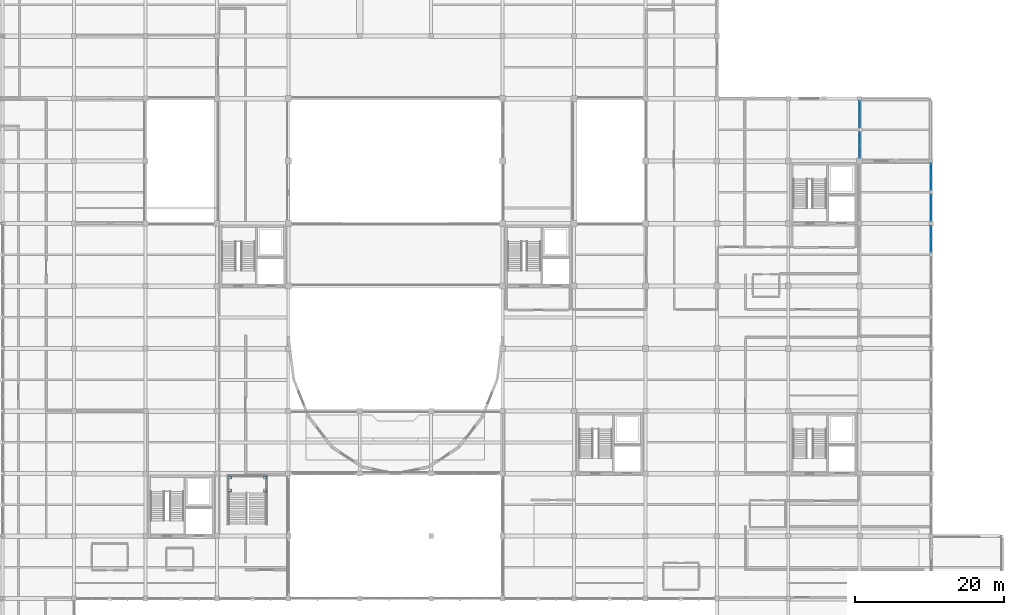
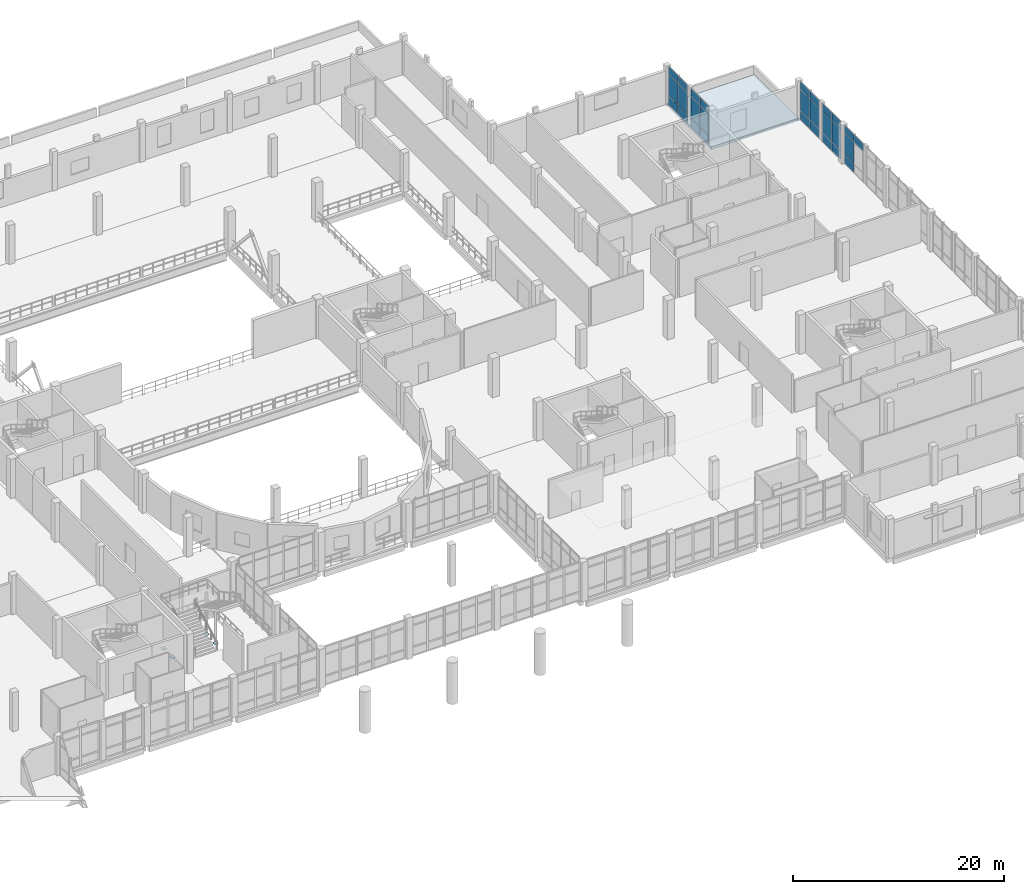
# One storey, part 85 of 102: 32 plates, 1 slab, 5 elements without a shape of their own.
"""IFC4 building model written with IfcOpenShell, lengths in metres."""

from ifc_helpers import new_model, si_unit, direction, frame, origin, origin_2d, place, context, subcontext, project, spatial, polyline, rectangle, outline, extrude, material, layer, layer_set, type_object, element, aggregate, save


model = new_model("IFC4")

# Units and contexts
model_context = context("Model", 3, precision=1e-05, world=origin(), true_north=direction((0.0, 1.0)))
body_context = subcontext(model_context, "Body", "Model", "MODEL_VIEW")
ifc_project = project(units=[si_unit("LENGTHUNIT", "METRE"), si_unit("AREAUNIT", "SQUARE_METRE"), si_unit("VOLUMEUNIT", "CUBIC_METRE"), si_unit("PLANEANGLEUNIT", "RADIAN"), si_unit("MASSUNIT", "GRAM", prefix="KILO")], contexts=[model_context])

# Site, building, storey
site_placement = place(None, origin())
site = spatial("IfcSite", under=ifc_project, at=site_placement, CompositionType="ELEMENT")
building_placement = place(site_placement, origin())
building = spatial("IfcBuilding", under=site, at=building_placement, Name="Lornevale Opera House", CompositionType="ELEMENT")
storey_placement = place(building_placement, frame((0.0, 0.0, 5.39990234375)))
storey = spatial("IfcBuildingStorey", under=building, at=storey_placement, Name="L02", CompositionType="ELEMENT", Elevation=5.39990234375)

# Plates
ifc_material_1 = material(Name="Structural Steel CSA G40.21 Grade 350W (350 MPa)", Category="steel")
ifc_layer_1 = layer(ifc_material_1, 0.028076171875)
ifc_layer_set_1 = layer_set([ifc_layer_1], Name="Structural Steel CSA G40.21 Grade 350W (350 MPa)")
plate_type_1 = type_object("IfcPlateType", Name="Ramp Mast Base Plate 420x420x28", PredefinedType="USERDEFINED", material=ifc_layer_set_1)
for number, where, z_axis, x_axis, name in (
    (1, (59.35009765625, 31.35009765625, -2.69970703125), (0.0, 0.0, 1.0), (1.0, 0.0, 0.0), "Ramp Mast Base Plate PT-MB-0010"),
    (2, (59.35009765625, 33.050048828125, -2.69970703125), (0.0, 0.0, 1.0), (1.0, 0.0, 0.0), "Ramp Mast Base Plate PT-MB-0012"),
    (3, (64.050048828125, 31.35009765625, -2.69970703125), (0.0, 0.0, 1.0), (1.0, 0.0, 0.0), "Ramp Mast Base Plate PT-MB-0014"),
    (4, (64.050048828125, 33.050048828125, -2.69970703125), (0.0, 0.0, 1.0), (1.0, 0.0, 0.0), "Ramp Mast Base Plate PT-MB-0016"),
):
    element("IfcPlate", number, at=place(storey_placement, frame(where, z_axis=z_axis, x_axis=x_axis)), inside=storey, type_object=plate_type_1, Name=name, ObjectType="GUSSET PLATE", PredefinedType="USERDEFINED", context=body_context, shape_type="SweptSolid", body=[
        extrude(rectangle(XDim=0.419921875, YDim=0.419921875, at=origin_2d()), origin(), (0.0, 0.0, 1.0), 0.028076171875),
    ])

# Curtain wall, plates
ifc_material_2 = material(Name="Anodized Oxide-Green Aluminium Framing", Category="aluminium")
ifc_layer_2 = layer(ifc_material_2, 0.179931640625)
ifc_layer_set_2 = layer_set([ifc_layer_2], Name="Anodized Oxide-Green Aluminium Framing")
curtain_wall_type = type_object("IfcCurtainWallType", Name="Promenade Gallery Curtain Wall M1800", PredefinedType="NOTDEFINED", material=ifc_layer_set_2)
curtain_wall_1_placement = place(storey_placement, origin())
curtain_wall_1 = element("IfcCurtainWall", 5, at=curtain_wall_1_placement, inside=storey, type_object=curtain_wall_type, Name="Promenade Gallery Curtain Wall M1800 CW-078", PredefinedType="NOTDEFINED")
ifc_material_3 = material(Name="Triple Low-E Insulated Glazing", Category="glass")
ifc_layer_3 = layer(ifc_material_3, 0.0380859375)
ifc_layer_set_3 = layer_set([ifc_layer_3], Name="Triple Low-E Insulated Glazing")
plate_type_2 = type_object("IfcPlateType", Name="Triple Low-E Vision Panel 38", PredefinedType="CURTAIN_PANEL", material=ifc_layer_set_3)
plate_1_placement = place(storey_placement, frame((144.0, 82.800537109375, 0.0654296875), z_axis=(0.0, 0.0, 1.0), x_axis=(0.0, -1.0, 0.0)))
plate_1 = element("IfcPlate", 6, at=plate_1_placement, type_object=plate_type_2, Name="Triple Low-E Vision Panel 38 CW1589", PredefinedType="CURTAIN_PANEL", context=body_context, shape_type="SweptSolid", body=[
    extrude(rectangle(XDim=1.72705078125, YDim=0.0380859375, at=origin_2d()), origin(), (0.0, 0.0, 1.0), 0.952392578125),
])
plate_2_placement = place(storey_placement, frame((144.0, 82.800537109375, 1.08251953125), z_axis=(0.0, 0.0, 1.0), x_axis=(0.0, -1.0, 0.0)))
plate_2 = element("IfcPlate", 7, at=plate_2_placement, type_object=plate_type_2, Name="Triple Low-E Vision Panel 38 CW1590", PredefinedType="CURTAIN_PANEL", context=body_context, shape_type="SweptSolid", body=[
    extrude(rectangle(XDim=1.72705078125, YDim=0.0380859375, at=origin_2d()), origin(), (0.0, 0.0, 1.0), 2.455078125),
])
plate_3_placement = place(storey_placement, frame((144.0, 82.800537109375, 3.6025390625), z_axis=(0.0, 0.0, 1.0), x_axis=(0.0, -1.0, 0.0)))
plate_3 = element("IfcPlate", 8, at=plate_3_placement, type_object=plate_type_2, Name="Triple Low-E Vision Panel 38 CW1591", PredefinedType="CURTAIN_PANEL", context=body_context, shape_type="SweptSolid", body=[
    extrude(rectangle(XDim=1.72705078125, YDim=0.0380859375, at=origin_2d()), origin(), (0.0, 0.0, 1.0), 0.8525390625),
])
plate_4_placement = place(storey_placement, frame((144.0, 81.008544921875, 0.0654296875), z_axis=(0.0, 0.0, 1.0), x_axis=(0.0, -1.0, 0.0)))
plate_4 = element("IfcPlate", 9, at=plate_4_placement, type_object=plate_type_2, Name="Triple Low-E Vision Panel 38 CW1596", PredefinedType="CURTAIN_PANEL", context=body_context, shape_type="SweptSolid", body=[
    extrude(rectangle(XDim=1.72705078125, YDim=0.0380859375, at=origin_2d()), origin(), (0.0, 0.0, 1.0), 0.952392578125),
])
plate_5_placement = place(storey_placement, frame((144.0, 81.008544921875, 1.08251953125), z_axis=(0.0, 0.0, 1.0), x_axis=(0.0, -1.0, 0.0)))
plate_5 = element("IfcPlate", 10, at=plate_5_placement, type_object=plate_type_2, Name="Triple Low-E Vision Panel 38 CW1597", PredefinedType="CURTAIN_PANEL", context=body_context, shape_type="SweptSolid", body=[
    extrude(rectangle(XDim=1.72705078125, YDim=0.0380859375, at=origin_2d()), origin(), (0.0, 0.0, 1.0), 2.455078125),
])
plate_6_placement = place(storey_placement, frame((144.0, 81.008544921875, 3.6025390625), z_axis=(0.0, 0.0, 1.0), x_axis=(0.0, -1.0, 0.0)))
plate_6 = element("IfcPlate", 11, at=plate_6_placement, type_object=plate_type_2, Name="Triple Low-E Vision Panel 38 CW1598", PredefinedType="CURTAIN_PANEL", context=body_context, shape_type="SweptSolid", body=[
    extrude(rectangle(XDim=1.72705078125, YDim=0.0380859375, at=origin_2d()), origin(), (0.0, 0.0, 1.0), 0.8525390625),
])
aggregate(curtain_wall_1, [plate_1, plate_2, plate_3, plate_4, plate_5, plate_6])

curtain_wall_2_placement = place(storey_placement, origin())
curtain_wall_2 = element("IfcCurtainWall", 12, at=curtain_wall_2_placement, inside=storey, type_object=curtain_wall_type, Name="Promenade Gallery Curtain Wall M1800 CW-079", PredefinedType="NOTDEFINED")
plate_7_placement = place(storey_placement, frame((144.0, 78.622802734375, 0.0654296875), z_axis=(0.0, 0.0, 1.0), x_axis=(0.0, -1.0, 0.0)))
plate_7 = element("IfcPlate", 13, at=plate_7_placement, type_object=plate_type_2, Name="Triple Low-E Vision Panel 38 CW1606", PredefinedType="CURTAIN_PANEL", context=body_context, shape_type="SweptSolid", body=[
    extrude(rectangle(XDim=1.66455078125, YDim=0.0380859375, at=origin_2d()), origin(), (0.0, 0.0, 1.0), 0.952392578125),
])
plate_8_placement = place(storey_placement, frame((144.0, 78.622802734375, 1.08251953125), z_axis=(0.0, 0.0, 1.0), x_axis=(0.0, -1.0, 0.0)))
plate_8 = element("IfcPlate", 14, at=plate_8_placement, type_object=plate_type_2, Name="Triple Low-E Vision Panel 38 CW1607", PredefinedType="CURTAIN_PANEL", context=body_context, shape_type="SweptSolid", body=[
    extrude(rectangle(XDim=1.66455078125, YDim=0.0380859375, at=origin_2d()), origin(), (0.0, 0.0, 1.0), 2.455078125),
])
plate_9_placement = place(storey_placement, frame((144.0, 78.622802734375, 3.6025390625), z_axis=(0.0, 0.0, 1.0), x_axis=(0.0, -1.0, 0.0)))
plate_9 = element("IfcPlate", 15, at=plate_9_placement, type_object=plate_type_2, Name="Triple Low-E Vision Panel 38 CW1608", PredefinedType="CURTAIN_PANEL", context=body_context, shape_type="SweptSolid", body=[
    extrude(rectangle(XDim=1.66455078125, YDim=0.0380859375, at=origin_2d()), origin(), (0.0, 0.0, 1.0), 0.8525390625),
])
plate_10_placement = place(storey_placement, frame((144.0, 76.893310546875, 0.0654296875), z_axis=(0.0, 0.0, 1.0), x_axis=(0.0, -1.0, 0.0)))
plate_10 = element("IfcPlate", 16, at=plate_10_placement, type_object=plate_type_2, Name="Triple Low-E Vision Panel 38 CW1613", PredefinedType="CURTAIN_PANEL", context=body_context, shape_type="SweptSolid", body=[
    extrude(rectangle(XDim=1.66455078125, YDim=0.0380859375, at=origin_2d()), origin(), (0.0, 0.0, 1.0), 0.952392578125),
])
plate_11_placement = place(storey_placement, frame((144.0, 76.893310546875, 1.08251953125), z_axis=(0.0, 0.0, 1.0), x_axis=(0.0, -1.0, 0.0)))
plate_11 = element("IfcPlate", 17, at=plate_11_placement, type_object=plate_type_2, Name="Triple Low-E Vision Panel 38 CW1614", PredefinedType="CURTAIN_PANEL", context=body_context, shape_type="SweptSolid", body=[
    extrude(rectangle(XDim=1.66455078125, YDim=0.0380859375, at=origin_2d()), origin(), (0.0, 0.0, 1.0), 2.455078125),
])
plate_12_placement = place(storey_placement, frame((144.0, 76.893310546875, 3.6025390625), z_axis=(0.0, 0.0, 1.0), x_axis=(0.0, -1.0, 0.0)))
plate_12 = element("IfcPlate", 18, at=plate_12_placement, type_object=plate_type_2, Name="Triple Low-E Vision Panel 38 CW1615", PredefinedType="CURTAIN_PANEL", context=body_context, shape_type="SweptSolid", body=[
    extrude(rectangle(XDim=1.66455078125, YDim=0.0380859375, at=origin_2d()), origin(), (0.0, 0.0, 1.0), 0.8525390625),
])
aggregate(curtain_wall_2, [plate_7, plate_8, plate_9, plate_10, plate_11, plate_12])

curtain_wall_3_placement = place(storey_placement, origin())
curtain_wall_3 = element("IfcCurtainWall", 19, at=curtain_wall_3_placement, inside=storey, type_object=curtain_wall_type, Name="Promenade Gallery Curtain Wall M1800 CW-088", PredefinedType="NOTDEFINED")
plate_13_placement = place(storey_placement, frame((153.60009765625, 65.981689453125, 0.0654296875), z_axis=(0.0, 0.0, 1.0), x_axis=(0.0, -1.0, 0.0)))
plate_13 = element("IfcPlate", 20, at=plate_13_placement, type_object=plate_type_2, Name="Triple Low-E Vision Panel 38 CW1759", PredefinedType="CURTAIN_PANEL", context=body_context, shape_type="SweptSolid", body=[
    extrude(rectangle(XDim=1.714599609375, YDim=0.0380859375, at=origin_2d()), origin(), (0.0, 0.0, 1.0), 0.952392578125),
])
plate_14_placement = place(storey_placement, frame((153.60009765625, 65.981689453125, 1.08251953125), z_axis=(0.0, 0.0, 1.0), x_axis=(0.0, -1.0, 0.0)))
plate_14 = element("IfcPlate", 21, at=plate_14_placement, type_object=plate_type_2, Name="Triple Low-E Vision Panel 38 CW1760", PredefinedType="CURTAIN_PANEL", context=body_context, shape_type="SweptSolid", body=[
    extrude(rectangle(XDim=1.714599609375, YDim=0.0380859375, at=origin_2d()), origin(), (0.0, 0.0, 1.0), 2.455078125),
])
plate_15_placement = place(storey_placement, frame((153.60009765625, 65.981689453125, 3.6025390625), z_axis=(0.0, 0.0, 1.0), x_axis=(0.0, -1.0, 0.0)))
plate_15 = element("IfcPlate", 22, at=plate_15_placement, type_object=plate_type_2, Name="Triple Low-E Vision Panel 38 CW1761", PredefinedType="CURTAIN_PANEL", context=body_context, shape_type="SweptSolid", body=[
    extrude(rectangle(XDim=1.714599609375, YDim=0.0380859375, at=origin_2d()), origin(), (0.0, 0.0, 1.0), 0.8525390625),
])
plate_16_placement = place(storey_placement, frame((153.60009765625, 64.202392578125, 3.6025390625), z_axis=(0.0, 0.0, 1.0), x_axis=(0.0, -1.0, 0.0)))
plate_16 = element("IfcPlate", 23, at=plate_16_placement, type_object=plate_type_2, Name="Triple Low-E Vision Panel 38 CW1768", PredefinedType="CURTAIN_PANEL", context=body_context, shape_type="SweptSolid", body=[
    extrude(rectangle(XDim=1.714599609375, YDim=0.0380859375, at=origin_2d()), origin(), (0.0, 0.0, 1.0), 0.8525390625),
])
aggregate(curtain_wall_3, [plate_13, plate_14, plate_15, plate_16])

curtain_wall_4_placement = place(storey_placement, origin())
curtain_wall_4 = element("IfcCurtainWall", 24, at=curtain_wall_4_placement, inside=storey, type_object=curtain_wall_type, Name="Promenade Gallery Curtain Wall M1800 CW-090", PredefinedType="NOTDEFINED")
plate_17_placement = place(storey_placement, frame((153.60009765625, 74.400390625, 0.0654296875), z_axis=(0.0, 0.0, 1.0), x_axis=(0.0, -1.0, 0.0)))
plate_17 = element("IfcPlate", 25, at=plate_17_placement, type_object=plate_type_2, Name="Triple Low-E Vision Panel 38 CW1793", PredefinedType="CURTAIN_PANEL", context=body_context, shape_type="SweptSolid", body=[
    extrude(rectangle(XDim=1.72705078125, YDim=0.0380859375, at=origin_2d()), origin(), (0.0, 0.0, 1.0), 0.952392578125),
])
plate_18_placement = place(storey_placement, frame((153.60009765625, 74.400390625, 1.08251953125), z_axis=(0.0, 0.0, 1.0), x_axis=(0.0, -1.0, 0.0)))
plate_18 = element("IfcPlate", 26, at=plate_18_placement, type_object=plate_type_2, Name="Triple Low-E Vision Panel 38 CW1794", PredefinedType="CURTAIN_PANEL", context=body_context, shape_type="SweptSolid", body=[
    extrude(rectangle(XDim=1.72705078125, YDim=0.0380859375, at=origin_2d()), origin(), (0.0, 0.0, 1.0), 2.455078125),
])
plate_19_placement = place(storey_placement, frame((153.60009765625, 74.400390625, 3.6025390625), z_axis=(0.0, 0.0, 1.0), x_axis=(0.0, -1.0, 0.0)))
plate_19 = element("IfcPlate", 27, at=plate_19_placement, type_object=plate_type_2, Name="Triple Low-E Vision Panel 38 CW1795", PredefinedType="CURTAIN_PANEL", context=body_context, shape_type="SweptSolid", body=[
    extrude(rectangle(XDim=1.72705078125, YDim=0.0380859375, at=origin_2d()), origin(), (0.0, 0.0, 1.0), 0.8525390625),
])
plate_20_placement = place(storey_placement, frame((153.60009765625, 72.6083984375, 0.0654296875), z_axis=(0.0, 0.0, 1.0), x_axis=(0.0, -1.0, 0.0)))
plate_20 = element("IfcPlate", 28, at=plate_20_placement, type_object=plate_type_2, Name="Triple Low-E Vision Panel 38 CW1800", PredefinedType="CURTAIN_PANEL", context=body_context, shape_type="SweptSolid", body=[
    extrude(rectangle(XDim=1.72705078125, YDim=0.0380859375, at=origin_2d()), origin(), (0.0, 0.0, 1.0), 0.952392578125),
])
plate_21_placement = place(storey_placement, frame((153.60009765625, 72.6083984375, 1.08251953125), z_axis=(0.0, 0.0, 1.0), x_axis=(0.0, -1.0, 0.0)))
plate_21 = element("IfcPlate", 29, at=plate_21_placement, type_object=plate_type_2, Name="Triple Low-E Vision Panel 38 CW1801", PredefinedType="CURTAIN_PANEL", context=body_context, shape_type="SweptSolid", body=[
    extrude(rectangle(XDim=1.72705078125, YDim=0.0380859375, at=origin_2d()), origin(), (0.0, 0.0, 1.0), 2.455078125),
])
plate_22_placement = place(storey_placement, frame((153.60009765625, 72.6083984375, 3.6025390625), z_axis=(0.0, 0.0, 1.0), x_axis=(0.0, -1.0, 0.0)))
plate_22 = element("IfcPlate", 30, at=plate_22_placement, type_object=plate_type_2, Name="Triple Low-E Vision Panel 38 CW1802", PredefinedType="CURTAIN_PANEL", context=body_context, shape_type="SweptSolid", body=[
    extrude(rectangle(XDim=1.72705078125, YDim=0.0380859375, at=origin_2d()), origin(), (0.0, 0.0, 1.0), 0.8525390625),
])
aggregate(curtain_wall_4, [plate_17, plate_18, plate_19, plate_20, plate_21, plate_22])

curtain_wall_5_placement = place(storey_placement, origin())
curtain_wall_5 = element("IfcCurtainWall", 31, at=curtain_wall_5_placement, inside=storey, type_object=curtain_wall_type, Name="Promenade Gallery Curtain Wall M1800 CW-091", PredefinedType="NOTDEFINED")
plate_23_placement = place(storey_placement, frame((153.60009765625, 70.19775390625, 0.0654296875), z_axis=(0.0, 0.0, 1.0), x_axis=(0.0, -1.0, 0.0)))
plate_23 = element("IfcPlate", 32, at=plate_23_placement, type_object=plate_type_2, Name="Triple Low-E Vision Panel 38 CW1810", PredefinedType="CURTAIN_PANEL", context=body_context, shape_type="SweptSolid", body=[
    extrude(rectangle(XDim=1.714599609375, YDim=0.0380859375, at=origin_2d()), origin(), (0.0, 0.0, 1.0), 0.952392578125),
])
plate_24_placement = place(storey_placement, frame((153.60009765625, 70.19775390625, 1.08251953125), z_axis=(0.0, 0.0, 1.0), x_axis=(0.0, -1.0, 0.0)))
plate_24 = element("IfcPlate", 33, at=plate_24_placement, type_object=plate_type_2, Name="Triple Low-E Vision Panel 38 CW1811", PredefinedType="CURTAIN_PANEL", context=body_context, shape_type="SweptSolid", body=[
    extrude(rectangle(XDim=1.714599609375, YDim=0.0380859375, at=origin_2d()), origin(), (0.0, 0.0, 1.0), 2.455078125),
])
plate_25_placement = place(storey_placement, frame((153.60009765625, 70.19775390625, 3.6025390625), z_axis=(0.0, 0.0, 1.0), x_axis=(0.0, -1.0, 0.0)))
plate_25 = element("IfcPlate", 34, at=plate_25_placement, type_object=plate_type_2, Name="Triple Low-E Vision Panel 38 CW1812", PredefinedType="CURTAIN_PANEL", context=body_context, shape_type="SweptSolid", body=[
    extrude(rectangle(XDim=1.714599609375, YDim=0.0380859375, at=origin_2d()), origin(), (0.0, 0.0, 1.0), 0.8525390625),
])
plate_26_placement = place(storey_placement, frame((153.60009765625, 68.418212890625, 0.0654296875), z_axis=(0.0, 0.0, 1.0), x_axis=(0.0, -1.0, 0.0)))
plate_26 = element("IfcPlate", 35, at=plate_26_placement, type_object=plate_type_2, Name="Triple Low-E Vision Panel 38 CW1817", PredefinedType="CURTAIN_PANEL", context=body_context, shape_type="SweptSolid", body=[
    extrude(rectangle(XDim=1.714599609375, YDim=0.0380859375, at=origin_2d()), origin(), (0.0, 0.0, 1.0), 0.952392578125),
])
plate_27_placement = place(storey_placement, frame((153.60009765625, 68.418212890625, 1.08251953125), z_axis=(0.0, 0.0, 1.0), x_axis=(0.0, -1.0, 0.0)))
plate_27 = element("IfcPlate", 36, at=plate_27_placement, type_object=plate_type_2, Name="Triple Low-E Vision Panel 38 CW1818", PredefinedType="CURTAIN_PANEL", context=body_context, shape_type="SweptSolid", body=[
    extrude(rectangle(XDim=1.714599609375, YDim=0.0380859375, at=origin_2d()), origin(), (0.0, 0.0, 1.0), 2.455078125),
])
plate_28_placement = place(storey_placement, frame((153.60009765625, 68.418212890625, 3.6025390625), z_axis=(0.0, 0.0, 1.0), x_axis=(0.0, -1.0, 0.0)))
plate_28 = element("IfcPlate", 37, at=plate_28_placement, type_object=plate_type_2, Name="Triple Low-E Vision Panel 38 CW1819", PredefinedType="CURTAIN_PANEL", context=body_context, shape_type="SweptSolid", body=[
    extrude(rectangle(XDim=1.714599609375, YDim=0.0380859375, at=origin_2d()), origin(), (0.0, 0.0, 1.0), 0.8525390625),
])
aggregate(curtain_wall_5, [plate_23, plate_24, plate_25, plate_26, plate_27, plate_28])

# Slab
ifc_material_4 = material(Name="Concrete 35 MPa (CSA A23.1 N)", Category="concrete")
ifc_layer_4 = layer(ifc_material_4, 0.2900390625)
ifc_layer_set_4 = layer_set([ifc_layer_4], Name="Concrete 35 MPa (CSA A23.1 N)")
slab_type = type_object("IfcSlabType", Name="Vegetated Green Roof Slab 290", PredefinedType="ROOF", material=ifc_layer_set_4)
slab_placement = place(storey_placement, frame((0.0, 0.0, -0.289794921875)))
element("IfcSlab", 38, at=slab_placement, inside=storey, type_object=slab_type, Name="Unoccupied Maintenance Vegetated Green Roof Slab SL-073", PredefinedType="ROOF", context=body_context, shape_type="SweptSolid", body=[
    extrude(outline(polyline([(153.60009765625, 84.0), (153.60009765625, 75.60009765625), (144.0, 75.60009765625), (144.0, 84.0), (153.60009765625, 84.0)])), origin(), (0.0, 0.0, 1.0), 0.289794921875),
])

save(model, "model.ifc")
